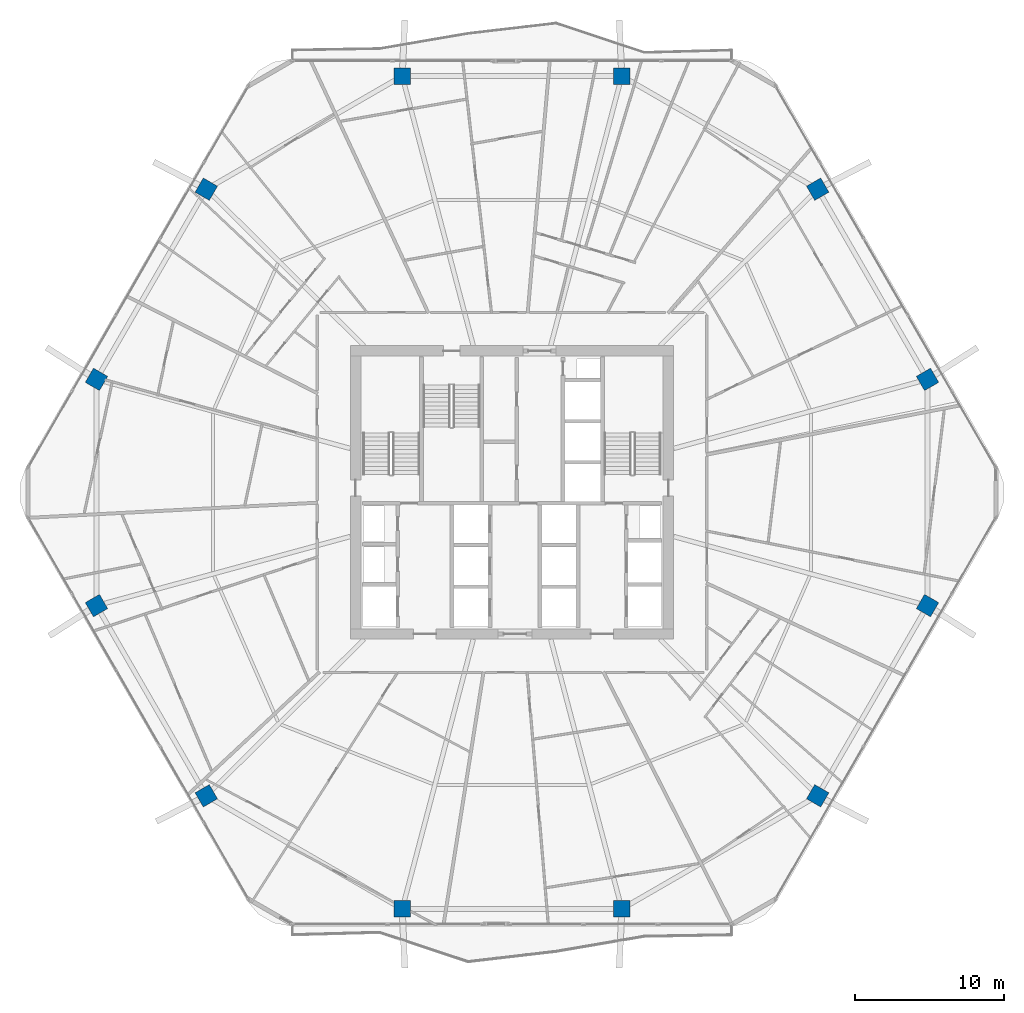
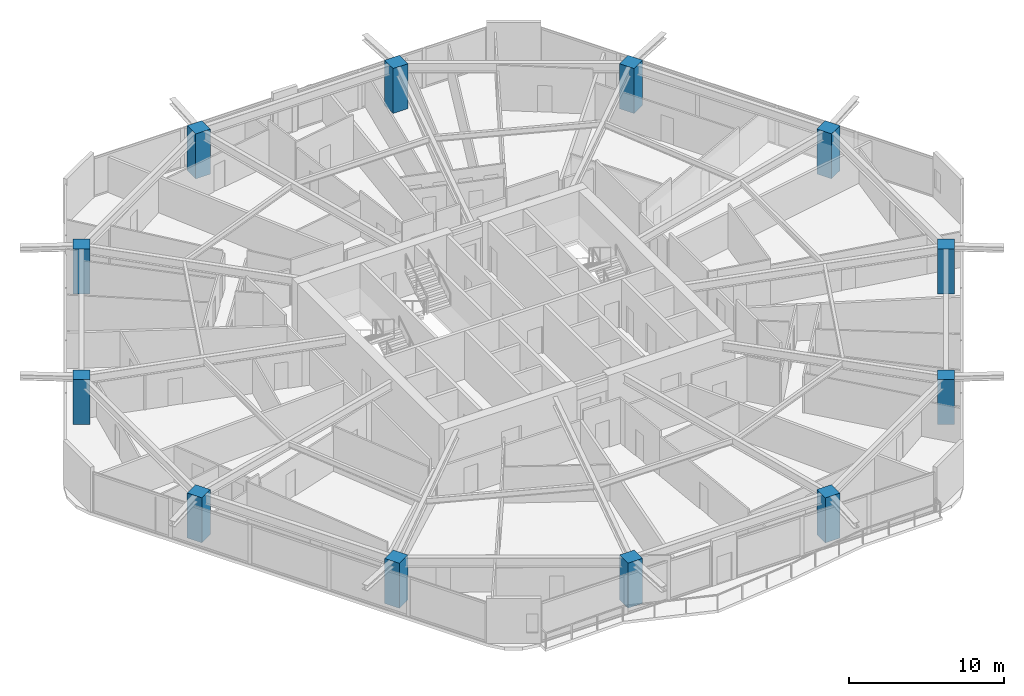
# One storey, part 1 of 33: 12 columns.
"""IFC4 building model written with IfcOpenShell, lengths in metres."""

from ifc_helpers import new_model, si_unit, direction, frame, origin, origin_2d, place, context, subcontext, project, spatial, rectangle, extrude, material, material_profile, profile_set, type_object, element, save


model = new_model("IFC4")

# Units and contexts
model_context = context("Model", 3, precision=1e-05, world=origin(), true_north=direction((0.0, 1.0)))
body_context = subcontext(model_context, "Body", "Model", "MODEL_VIEW")
ifc_project = project(units=[si_unit("LENGTHUNIT", "METRE"), si_unit("AREAUNIT", "SQUARE_METRE"), si_unit("VOLUMEUNIT", "CUBIC_METRE"), si_unit("PLANEANGLEUNIT", "RADIAN"), si_unit("MASSUNIT", "GRAM", prefix="KILO")], contexts=[model_context])

# Site, building, storey
site_placement = place(None, origin())
site = spatial("IfcSite", under=ifc_project, at=site_placement, CompositionType="ELEMENT")
building_placement = place(site_placement, origin())
building = spatial("IfcBuilding", under=site, at=building_placement, Name="Zuhravey Tower", CompositionType="ELEMENT")
storey_placement = place(building_placement, frame((0.0, 0.0, 126.60009765625)))
storey = spatial("IfcBuildingStorey", under=building, at=storey_placement, Name="L31", CompositionType="ELEMENT", Elevation=126.60009765625)

# Columns
ifc_material = material(Name="Concrete C60/75", Category="concrete")
ifc_material_profile = material_profile(ifc_material, rectangle(XDim=1.10009765625, YDim=1.10009765625, at=origin_2d()), Name="RC-1100x1100")
ifc_profile_set = profile_set([ifc_material_profile], Name="Concrete C60/75")
column_type = type_object("IfcColumnType", Name="Zone 1 Upper Column 1100x1100", PredefinedType="COLUMN", material=ifc_profile_set)
for number, where, z_axis, x_axis, name in (
    (1, (63.88916015625, 39.591552734375, 0.0), (0.0, 0.0, 1.0), (-0.5, 0.866025403784, 0.0), "L31 Perimeter Column PC01"),
    (2, (56.51904296875, 52.35693359375, 0.0), (0.0, 0.0, 1.0), (-0.5, 0.866025403784, 0.0), "L31 Perimeter Column PC02"),
    (3, (43.3701171875, 59.948486328125, 0.0), (0.0, 0.0, 1.0), (-1.0, 0.0, 0.0), "L31 Perimeter Column PC03"),
    (4, (28.6298828125, 59.948486328125, 0.0), (0.0, 0.0, 1.0), (-1.0, 0.0, 0.0), "L31 Perimeter Column PC04"),
    (5, (15.48095703125, 52.35693359375, 0.0), (0.0, 0.0, 1.0), (-0.5, -0.866025403784, 0.0), "L31 Perimeter Column PC05"),
    (6, (8.11083984375, 39.591552734375, 0.0), (0.0, 0.0, 1.0), (-0.5, -0.866025403784, 0.0), "L31 Perimeter Column PC06"),
    (7, (8.11083984375, 24.408447265625, 0.0), (0.0, 0.0, 1.0), (0.5, -0.866025403784, 0.0), "L31 Perimeter Column PC07"),
    (8, (15.48095703125, 11.64306640625, 0.0), (0.0, 0.0, 1.0), (0.5, -0.866025403784, 0.0), "L31 Perimeter Column PC08"),
    (9, (28.6298828125, 4.051513671875, 0.0), (0.0, 0.0, 1.0), (1.0, 0.0, 0.0), "L31 Perimeter Column PC09"),
    (10, (43.3701171875, 4.051513671875, 0.0), (0.0, 0.0, 1.0), (1.0, 0.0, 0.0), "L31 Perimeter Column PC10"),
    (11, (56.51904296875, 11.64306640625, 0.0), (0.0, 0.0, 1.0), (0.5, 0.866025403784, 0.0), "L31 Perimeter Column PC11"),
    (12, (63.88916015625, 24.408447265625, 0.0), (0.0, 0.0, 1.0), (0.5, 0.866025403784, 0.0), "L31 Perimeter Column PC12"),
):
    element("IfcColumn", number, at=place(storey_placement, frame(where, z_axis=z_axis, x_axis=x_axis)), inside=storey, type_object=column_type, Name=name, PredefinedType="COLUMN", context=body_context, shape_type="SweptSolid", body=[
        extrude(rectangle(XDim=1.10009765625, YDim=1.10009765625, at=origin_2d()), origin(), (0.0, 0.0, 1.0), 3.5498046875),
    ])

save(model, "model.ifc")
